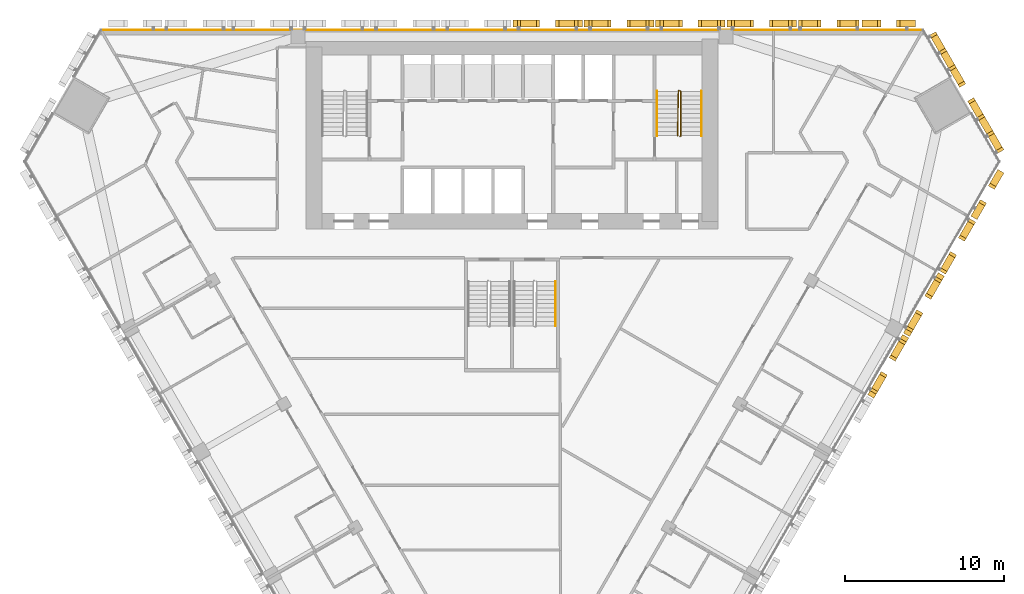
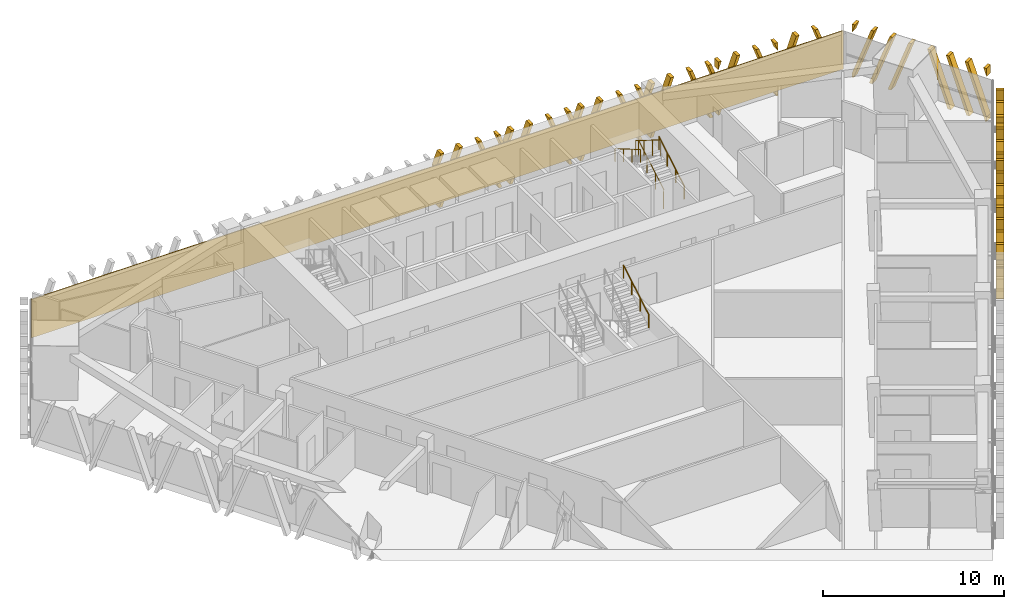
# One storey, part 17 of 18: 11 shading devices, 4 railings, 1 covering.
"""IFC4 building model written with IfcOpenShell, lengths in metres."""

from ifc_helpers import new_model, si_unit, direction, frame, frame_2d, origin, origin_2d, place, context, subcontext, project, spatial, polyline, rectangle, circle, outline, extrude, source, transform, mapped, material, layer, layer_set, type_object, element, save


model = new_model("IFC4")

# Units and contexts
model_context = context("Model", 3, precision=1e-05, world=origin(), true_north=direction((0.0, 1.0)))
body_context = subcontext(model_context, "Body", "Model", "MODEL_VIEW")
ifc_project = project(units=[si_unit("LENGTHUNIT", "METRE"), si_unit("AREAUNIT", "SQUARE_METRE"), si_unit("VOLUMEUNIT", "CUBIC_METRE"), si_unit("PLANEANGLEUNIT", "RADIAN"), si_unit("MASSUNIT", "GRAM", prefix="KILO")], contexts=[model_context])

# Site, building, storey
site_placement = place(None, origin())
site = spatial("IfcSite", under=ifc_project, at=site_placement, CompositionType="ELEMENT")
building_placement = place(site_placement, origin())
building = spatial("IfcBuilding", under=site, at=building_placement, Name="Altiplano Prism Tower", CompositionType="ELEMENT")
storey_placement = place(building_placement, frame((0.0, 0.0, 45.0)))
storey = spatial("IfcBuildingStorey", under=building, at=storey_placement, Name="L10", CompositionType="ELEMENT", Elevation=45.0)

# Railings
ifc_material_1 = material(Name="Steel S355", Category="steel")
railing_type_1 = type_object("IfcRailingType", Name="Stair guard 1100", PredefinedType="GUARDRAIL", material=ifc_material_1)
railing_1_placement = place(storey_placement, frame((95.60009765625, 98.25, 0.0)))
element("IfcRailing", 1, at=railing_1_placement, inside=storey, type_object=railing_type_1, Name="L10 ST2 stair guard 1", PredefinedType="GUARDRAIL", context=body_context, shape_type="SweptSolid", body=[
    extrude(circle(Radius=0.02392578125, at=origin_2d()), frame((0.0, 0.0, 1.076171875), z_axis=(0.279546231943, 0.280916556609, 0.91811752648), x_axis=(-0.708833529934, 0.705375805398, 0.0)), (0.0, 0.0, 1.0), 0.17822265625),
    extrude(circle(Radius=0.02392578125, at=origin_2d()), frame((0.0498046875, 0.050048828125, 1.23974609375), z_axis=(0.0, 0.863360870873, 0.504586966384), x_axis=(-1.0, 0.0, 0.0)), (0.0, 0.0, 1.0), 3.2431640625),
    extrude(circle(Radius=0.02392578125, at=origin_2d()), frame((0.0498046875, 2.85009765625, 2.8759765625), z_axis=(-0.948991962702, 0.315300261223, 0.0), x_axis=(-0.315300261223, -0.948991962702, 0.0)), (0.0, 0.0, 1.0), 0.157958984375),
    extrude(circle(Radius=0.02392578125, at=origin_2d()), frame((-0.10009765625, 2.89990234375, 2.8759765625), z_axis=(-0.014846418356, -0.845376787675, 0.533964109957), x_axis=(0.999845825584, -0.017559187376, 0.0)), (0.0, 0.0, 1.0), 3.37109375),
    extrude(circle(Radius=0.02099609375, at=origin_2d()), origin(), (0.0, 0.0, 1.0), 1.052001953125),
    extrude(circle(Radius=0.02099609375, at=origin_2d()), frame((0.0498046875, 0.050048828125, 0.16357421875)), (0.0, 0.0, 1.0), 1.052001953125),
    extrude(circle(Radius=0.02099609375, at=origin_2d()), frame((0.0498046875, 0.9833984375, 0.708984375)), (0.0, 0.0, 1.0), 1.052001953125),
    extrude(circle(Radius=0.02099609375, at=origin_2d()), frame((0.0498046875, 1.916748046875, 1.254638671875)), (0.0, 0.0, 1.0), 1.052001953125),
    extrude(circle(Radius=0.02099609375, at=origin_2d()), frame((0.0498046875, 2.85009765625, 1.800048828125)), (0.0, 0.0, 1.0), 1.052001953125),
    extrude(circle(Radius=0.02099609375, at=origin_2d()), frame((-0.10009765625, 2.89990234375, 1.800048828125)), (0.0, 0.0, 1.0), 1.052001953125),
    extrude(circle(Radius=0.02099609375, at=origin_2d()), frame((-0.11669921875, 1.949951171875, 2.400146484375)), (0.0, 0.0, 1.0), 1.052001953125),
    extrude(circle(Radius=0.02099609375, at=origin_2d()), frame((-0.133544921875, 1.0, 3.0)), (0.0, 0.0, 1.0), 1.052001953125),
    extrude(circle(Radius=0.02099609375, at=origin_2d()), frame((-0.150146484375, 0.050048828125, 3.60009765625)), (0.0, 0.0, 1.0), 1.052001953125),
])
railing_type_2 = type_object("IfcRailingType", Name="Stair handrail 900", PredefinedType="HANDRAIL", material=ifc_material_1)
railing_2_placement = place(storey_placement, frame((96.949951171875, 98.300048828125, 0.16357421875)))
element("IfcRailing", 2, at=railing_2_placement, inside=storey, type_object=railing_type_2, Name="L10 ST2 stair handrail 1", PredefinedType="HANDRAIL", context=body_context, shape_type="SweptSolid", body=[
    extrude(circle(Radius=0.02392578125, at=origin_2d()), frame((0.0, 0.0, 0.8759765625), z_axis=(0.0, 0.863360870873, 0.504586966384), x_axis=(-1.0, 0.0, 0.0)), (0.0, 0.0, 1.0), 3.2431640625),
    extrude(circle(Radius=0.02099609375, at=origin_2d()), origin(), (0.0, 0.0, 1.0), 0.851806640625),
    extrude(circle(Radius=0.02099609375, at=origin_2d()), frame((0.0, 0.933349609375, 0.54541015625)), (0.0, 0.0, 1.0), 0.851806640625),
    extrude(circle(Radius=0.02099609375, at=origin_2d()), frame((0.0, 1.86669921875, 1.091064453125)), (0.0, 0.0, 1.0), 0.851806640625),
    extrude(circle(Radius=0.02099609375, at=origin_2d()), frame((0.0, 2.800048828125, 1.636474609375)), (0.0, 0.0, 1.0), 0.851806640625),
])
railing_3_placement = place(storey_placement, frame((94.14990234375, 101.10009765625, 1.963623046875)))
element("IfcRailing", 3, at=railing_3_placement, inside=storey, type_object=railing_type_2, Name="L10 ST2 stair handrail 2", PredefinedType="HANDRAIL", context=body_context, shape_type="SweptSolid", body=[
    extrude(circle(Radius=0.02392578125, at=origin_2d()), frame((0.0, 0.0, 0.8759765625), z_axis=(0.0, -0.863360870873, 0.504586966384), x_axis=(1.0, 0.0, 0.0)), (0.0, 0.0, 1.0), 3.2431640625),
    extrude(circle(Radius=0.02099609375, at=origin_2d()), origin(), (0.0, 0.0, 1.0), 0.851806640625),
    extrude(circle(Radius=0.02099609375, at=origin_2d()), frame((0.0, -0.933349609375, 0.54541015625)), (0.0, 0.0, 1.0), 0.851806640625),
    extrude(circle(Radius=0.02099609375, at=origin_2d()), frame((0.0, -1.86669921875, 1.091064453125)), (0.0, 0.0, 1.0), 0.851806640625),
    extrude(circle(Radius=0.02099609375, at=origin_2d()), frame((0.0, -2.800048828125, 1.636474609375)), (0.0, 0.0, 1.0), 0.851806640625),
])
railing_4_placement = place(storey_placement, frame((87.75, 86.300048828125, 1.963623046875)))
element("IfcRailing", 4, at=railing_4_placement, inside=storey, type_object=railing_type_2, Name="L10 ST3B stair handrail 2", PredefinedType="HANDRAIL", context=body_context, shape_type="SweptSolid", body=[
    extrude(circle(Radius=0.02392578125, at=origin_2d()), frame((0.0, 0.0, 0.8759765625), z_axis=(0.0, 0.863360870873, 0.504586966384), x_axis=(-1.0, 0.0, 0.0)), (0.0, 0.0, 1.0), 3.2431640625),
    extrude(circle(Radius=0.02099609375, at=origin_2d()), origin(), (0.0, 0.0, 1.0), 0.851806640625),
    extrude(circle(Radius=0.02099609375, at=origin_2d()), frame((0.0, 0.933349609375, 0.54541015625)), (0.0, 0.0, 1.0), 0.851806640625),
    extrude(circle(Radius=0.02099609375, at=origin_2d()), frame((0.0, 1.86669921875, 1.091064453125)), (0.0, 0.0, 1.0), 0.851806640625),
    extrude(circle(Radius=0.02099609375, at=origin_2d()), frame((0.0, 2.800048828125, 1.636474609375)), (0.0, 0.0, 1.0), 0.851806640625),
])

# Covering
ifc_material_2 = material(Name="Warm limestone cast stone", Category="masonry")
ifc_layer = layer(ifc_material_2, 0.06005859375)
ifc_layer_set = layer_set([ifc_layer], Name="Warm limestone cast stone")
covering_type = type_object("IfcCoveringType", Name="Stone cladding 60", PredefinedType="CLADDING", material=ifc_layer_set)
covering_placement = place(storey_placement, frame((59.0419921875, 104.969970703125, 0.0), z_axis=(0.0, 0.0, 1.0), x_axis=(1.0, 0.0, 0.0)))
element("IfcCovering", 5, at=covering_placement, inside=storey, type_object=covering_type, Name="Stone cladding north face L10", PredefinedType="CLADDING", context=body_context, shape_type="SweptSolid", body=[
    extrude(rectangle(XDim=51.916015625, YDim=0.06005859375, at=frame_2d((25.9580078125, 0.0))), origin(), (0.0, 0.0, 1.0), 2.60009765625),
])

# Shading devices
shading_device_type_1 = type_object("IfcShadingDeviceType", Name="Stone fin panel, standard unit", PredefinedType="USERDEFINED", material=ifc_material_2)
shared_shape_1 = source(origin(), body_context, "Body", "SweptSolid", [
    extrude(outline(polyline([(-2.199951171875, 2.226318359375), (-1.699951171875, 3.60009765625), (-1.89990234375, 3.60009765625), (-2.199951171875, 2.77587890625), (-2.199951171875, 2.226318359375)])), frame((0.0, -0.14990234375, 0.0), z_axis=(0.0, -1.0, 0.0), x_axis=(1.0, 0.0, 0.0)), (0.0, 0.0, 1.0), 0.4501953125),
    extrude(outline(polyline([(-2.01025390625, 0.0), (-1.810302734375, 0.0), (-0.5, 3.60009765625), (-0.699951171875, 3.60009765625), (-2.01025390625, 0.0)])), frame((0.0, -0.14990234375, 0.0), z_axis=(0.0, -1.0, 0.0), x_axis=(1.0, 0.0, 0.0)), (0.0, 0.0, 1.0), 0.4501953125),
    extrude(outline(polyline([(1.810302734375, 0.0), (2.01025390625, 0.0), (0.699951171875, 3.60009765625), (0.5, 3.60009765625), (1.810302734375, 0.0)])), frame((0.0, -0.14990234375, 0.0), z_axis=(0.0, -1.0, 0.0), x_axis=(1.0, 0.0, 0.0)), (0.0, 0.0, 1.0), 0.4501953125),
    extrude(outline(polyline([(2.199951171875, 2.77587890625), (1.89990234375, 3.60009765625), (1.699951171875, 3.60009765625), (2.199951171875, 2.226318359375), (2.199951171875, 2.77587890625)])), frame((0.0, -0.14990234375, 0.0), z_axis=(0.0, -1.0, 0.0), x_axis=(1.0, 0.0, 0.0)), (0.0, 0.0, 1.0), 0.4501953125),
])
shading_device_1_placement = place(storey_placement, origin())
element("IfcShadingDevice", 6, at=shading_device_1_placement, inside=storey, type_object=shading_device_type_1, Name="Fin L10 north face 3", ObjectType="FIN", PredefinedType="USERDEFINED", context=body_context, shape_type="MappedRepresentation", body=[
    mapped(shared_shape_1, transform((100.75, 105.0, -0.5), x_axis=(-1.0, 0.0, 0.0), y_axis=(0.0, -1.0, 0.0), z_axis=(0.0, 0.0, 1.0))),
])
shading_device_2_placement = place(storey_placement, origin())
element("IfcShadingDevice", 7, at=shading_device_2_placement, inside=storey, type_object=shading_device_type_1, Name="Fin L10 north face 4", ObjectType="FIN", PredefinedType="USERDEFINED", context=body_context, shape_type="MappedRepresentation", body=[
    mapped(shared_shape_1, transform((96.25, 105.0, -0.5), x_axis=(-1.0, 0.0, 0.0), y_axis=(0.0, -1.0, 0.0), z_axis=(0.0, 0.0, 1.0))),
])
shading_device_3_placement = place(storey_placement, origin())
element("IfcShadingDevice", 8, at=shading_device_3_placement, inside=storey, type_object=shading_device_type_1, Name="Fin L10 north face 5", ObjectType="FIN", PredefinedType="USERDEFINED", context=body_context, shape_type="MappedRepresentation", body=[
    mapped(shared_shape_1, transform((91.75, 105.0, -0.5), x_axis=(-1.0, 0.0, 0.0), y_axis=(0.0, -1.0, 0.0), z_axis=(0.0, 0.0, 1.0))),
])
shading_device_4_placement = place(storey_placement, origin())
element("IfcShadingDevice", 9, at=shading_device_4_placement, inside=storey, type_object=shading_device_type_1, Name="Fin L10 north face 6", ObjectType="FIN", PredefinedType="USERDEFINED", context=body_context, shape_type="MappedRepresentation", body=[
    mapped(shared_shape_1, transform((87.25, 105.0, -0.5), x_axis=(-1.0, 0.0, 0.0), y_axis=(0.0, -1.0, 0.0), z_axis=(0.0, 0.0, 1.0))),
])
shading_device_5_placement = place(storey_placement, origin())
element("IfcShadingDevice", 10, at=shading_device_5_placement, inside=storey, type_object=shading_device_type_1, Name="Fin L10 south-east face 9", ObjectType="FIN", PredefinedType="USERDEFINED", context=body_context, shape_type="MappedRepresentation", body=[
    mapped(shared_shape_1, transform((108.41162109375, 83.935546875, -0.5), x_axis=(0.50000000184, 0.866025402722, 0.0), y_axis=(-0.866025402722, 0.50000000184, 0.0), z_axis=(0.0, 0.0, 1.0))),
])
shading_device_6_placement = place(storey_placement, origin())
element("IfcShadingDevice", 11, at=shading_device_6_placement, inside=storey, type_object=shading_device_type_1, Name="Fin L10 south-east face 10", ObjectType="FIN", PredefinedType="USERDEFINED", context=body_context, shape_type="MappedRepresentation", body=[
    mapped(shared_shape_1, transform((110.66162109375, 87.83251953125, -0.5), x_axis=(0.50000000184, 0.866025402722, 0.0), y_axis=(-0.866025402722, 0.50000000184, 0.0), z_axis=(0.0, 0.0, 1.0))),
])
shading_device_type_2 = type_object("IfcShadingDeviceType", Name="Stone fin panel, narrow closing bay", PredefinedType="USERDEFINED", material=ifc_material_2)
shared_shape_2 = source(origin(), body_context, "Body", "SweptSolid", [
    extrude(outline(polyline([(-1.699951171875, 0.302978515625), (-0.5, 3.60009765625), (-0.699951171875, 3.60009765625), (-1.699951171875, 0.8525390625), (-1.699951171875, 0.302978515625)])), frame((0.0, -0.14990234375, 0.0), z_axis=(0.0, -1.0, 0.0), x_axis=(1.0, 0.0, 0.0)), (0.0, 0.0, 1.0), 0.4501953125),
    extrude(outline(polyline([(1.699951171875, 0.8525390625), (0.699951171875, 3.60009765625), (0.5, 3.60009765625), (1.699951171875, 0.302978515625), (1.699951171875, 0.8525390625)])), frame((0.0, -0.14990234375, 0.0), z_axis=(0.0, -1.0, 0.0), x_axis=(1.0, 0.0, 0.0)), (0.0, 0.0, 1.0), 0.4501953125),
])
shading_device_7_placement = place(storey_placement, origin())
element("IfcShadingDevice", 12, at=shading_device_7_placement, inside=storey, type_object=shading_device_type_2, Name="Fin L10 north face 1", ObjectType="FIN", PredefinedType="USERDEFINED", context=body_context, shape_type="MappedRepresentation", body=[
    mapped(shared_shape_2, transform((108.7685546875, 105.0, -0.5), x_axis=(-1.0, 0.0, 0.0), y_axis=(0.0, -1.0, 0.0), z_axis=(0.0, 0.0, 1.0))),
])
shading_device_8_placement = place(storey_placement, origin())
element("IfcShadingDevice", 13, at=shading_device_8_placement, inside=storey, type_object=shading_device_type_2, Name="Fin L10 south-east face 12", ObjectType="FIN", PredefinedType="USERDEFINED", context=body_context, shape_type="MappedRepresentation", body=[
    mapped(shared_shape_2, transform((114.6708984375, 94.77685546875, -0.5), x_axis=(0.50000000184, 0.866025402722, 0.0), y_axis=(-0.866025402722, 0.50000000184, 0.0), z_axis=(0.0, 0.0, 1.0))),
])
shared_shape_3 = source(origin(), body_context, "Body", "SweptSolid", [
    extrude(outline(polyline([(-1.89990234375, 0.0), (-1.810302734375, 0.0), (-0.5, 3.60009765625), (-0.699951171875, 3.60009765625), (-1.89990234375, 0.302978515625), (-1.89990234375, 0.0)])), frame((0.0, -0.14990234375, 0.0), z_axis=(0.0, -1.0, 0.0), x_axis=(1.0, 0.0, 0.0)), (0.0, 0.0, 1.0), 0.4501953125),
    extrude(outline(polyline([(-1.89990234375, 3.050537109375), (-1.699951171875, 3.60009765625), (-1.89990234375, 3.60009765625), (-1.89990234375, 3.050537109375)])), frame((0.0, -0.14990234375, 0.0), z_axis=(0.0, -1.0, 0.0), x_axis=(1.0, 0.0, 0.0)), (0.0, 0.0, 1.0), 0.4501953125),
    extrude(outline(polyline([(1.810302734375, 0.0), (1.89990234375, 0.0), (1.89990234375, 0.302978515625), (0.699951171875, 3.60009765625), (0.5, 3.60009765625), (1.810302734375, 0.0)])), frame((0.0, -0.14990234375, 0.0), z_axis=(0.0, -1.0, 0.0), x_axis=(1.0, 0.0, 0.0)), (0.0, 0.0, 1.0), 0.4501953125),
    extrude(outline(polyline([(1.89990234375, 3.60009765625), (1.699951171875, 3.60009765625), (1.89990234375, 3.050537109375), (1.89990234375, 3.60009765625)])), frame((0.0, -0.14990234375, 0.0), z_axis=(0.0, -1.0, 0.0), x_axis=(1.0, 0.0, 0.0)), (0.0, 0.0, 1.0), 0.4501953125),
])
shading_device_9_placement = place(storey_placement, origin())
element("IfcShadingDevice", 14, at=shading_device_9_placement, inside=storey, type_object=shading_device_type_2, Name="Fin L10 north face 2", ObjectType="FIN", PredefinedType="USERDEFINED", context=body_context, shape_type="MappedRepresentation", body=[
    mapped(shared_shape_3, transform((104.989501953125, 105.0, -0.5), x_axis=(-1.0, 0.0, 0.0), y_axis=(0.0, -1.0, 0.0), z_axis=(0.0, 0.0, 1.0))),
])
shading_device_10_placement = place(storey_placement, origin())
element("IfcShadingDevice", 15, at=shading_device_10_placement, inside=storey, type_object=shading_device_type_2, Name="Fin L10 south-east face 11", ObjectType="FIN", PredefinedType="USERDEFINED", context=body_context, shape_type="MappedRepresentation", body=[
    mapped(shared_shape_3, transform((112.78125, 91.504150390625, -0.5), x_axis=(0.50000000184, 0.866025402722, 0.0), y_axis=(-0.866025402722, 0.50000000184, 0.0), z_axis=(0.0, 0.0, 1.0))),
])
shading_device_type_3 = type_object("IfcShadingDeviceType", Name="Stone fin panel, chamfer unit", PredefinedType="USERDEFINED", material=ifc_material_2)
shared_shape_4 = source(origin(), body_context, "Body", "SweptSolid", [
    extrude(outline(polyline([(-4.300048828125, 0.0), (-4.210205078125, 0.0), (-2.89990234375, 3.60009765625), (-3.10009765625, 3.60009765625), (-4.300048828125, 0.302978515625), (-4.300048828125, 0.0)])), frame((0.0, -0.14990234375, 0.0), z_axis=(0.0, -1.0, 0.0), x_axis=(1.0, 0.0, 0.0)), (0.0, 0.0, 1.0), 0.4501953125),
    extrude(outline(polyline([(-4.300048828125, 3.050537109375), (-4.10009765625, 3.60009765625), (-4.300048828125, 3.60009765625), (-4.300048828125, 3.050537109375)])), frame((0.0, -0.14990234375, 0.0), z_axis=(0.0, -1.0, 0.0), x_axis=(1.0, 0.0, 0.0)), (0.0, 0.0, 1.0), 0.4501953125),
    extrude(outline(polyline([(-3.210205078125, 0.0), (-3.01025390625, 0.0), (-1.699951171875, 3.60009765625), (-1.89990234375, 3.60009765625), (-3.210205078125, 0.0)])), frame((0.0, -0.14990234375, 0.0), z_axis=(0.0, -1.0, 0.0), x_axis=(1.0, 0.0, 0.0)), (0.0, 0.0, 1.0), 0.4501953125),
    extrude(outline(polyline([(-2.01025390625, 0.0), (-1.810302734375, 0.0), (-0.5, 3.60009765625), (-0.699951171875, 3.60009765625), (-2.01025390625, 0.0)])), frame((0.0, -0.14990234375, 0.0), z_axis=(0.0, -1.0, 0.0), x_axis=(1.0, 0.0, 0.0)), (0.0, 0.0, 1.0), 0.4501953125),
    extrude(outline(polyline([(1.810302734375, 0.0), (2.01025390625, 0.0), (0.699951171875, 3.60009765625), (0.5, 3.60009765625), (1.810302734375, 0.0)])), frame((0.0, -0.14990234375, 0.0), z_axis=(0.0, -1.0, 0.0), x_axis=(1.0, 0.0, 0.0)), (0.0, 0.0, 1.0), 0.4501953125),
    extrude(outline(polyline([(3.01025390625, 0.0), (3.210205078125, 0.0), (1.89990234375, 3.60009765625), (1.699951171875, 3.60009765625), (3.01025390625, 0.0)])), frame((0.0, -0.14990234375, 0.0), z_axis=(0.0, -1.0, 0.0), x_axis=(1.0, 0.0, 0.0)), (0.0, 0.0, 1.0), 0.4501953125),
    extrude(outline(polyline([(4.210205078125, 0.0), (4.300048828125, 0.0), (4.300048828125, 0.302978515625), (3.10009765625, 3.60009765625), (2.89990234375, 3.60009765625), (4.210205078125, 0.0)])), frame((0.0, -0.14990234375, 0.0), z_axis=(0.0, -1.0, 0.0), x_axis=(1.0, 0.0, 0.0)), (0.0, 0.0, 1.0), 0.4501953125),
    extrude(outline(polyline([(4.300048828125, 3.60009765625), (4.10009765625, 3.60009765625), (4.300048828125, 3.050537109375), (4.300048828125, 3.60009765625)])), frame((0.0, -0.14990234375, 0.0), z_axis=(0.0, -1.0, 0.0), x_axis=(1.0, 0.0, 0.0)), (0.0, 0.0, 1.0), 0.4501953125),
])
shading_device_11_placement = place(storey_placement, origin())
element("IfcShadingDevice", 16, at=shading_device_11_placement, inside=storey, type_object=shading_device_type_3, Name="Fin L10 north-east chamfer 1", ObjectType="FIN", PredefinedType="USERDEFINED", context=body_context, shape_type="MappedRepresentation", body=[
    mapped(shared_shape_4, transform((113.36181640625, 100.83642578125, -0.5), x_axis=(-0.500000006889, 0.866025399807, 0.0), y_axis=(-0.866025399807, -0.500000006889, 0.0), z_axis=(0.0, 0.0, 1.0))),
])

save(model, "model.ifc")
